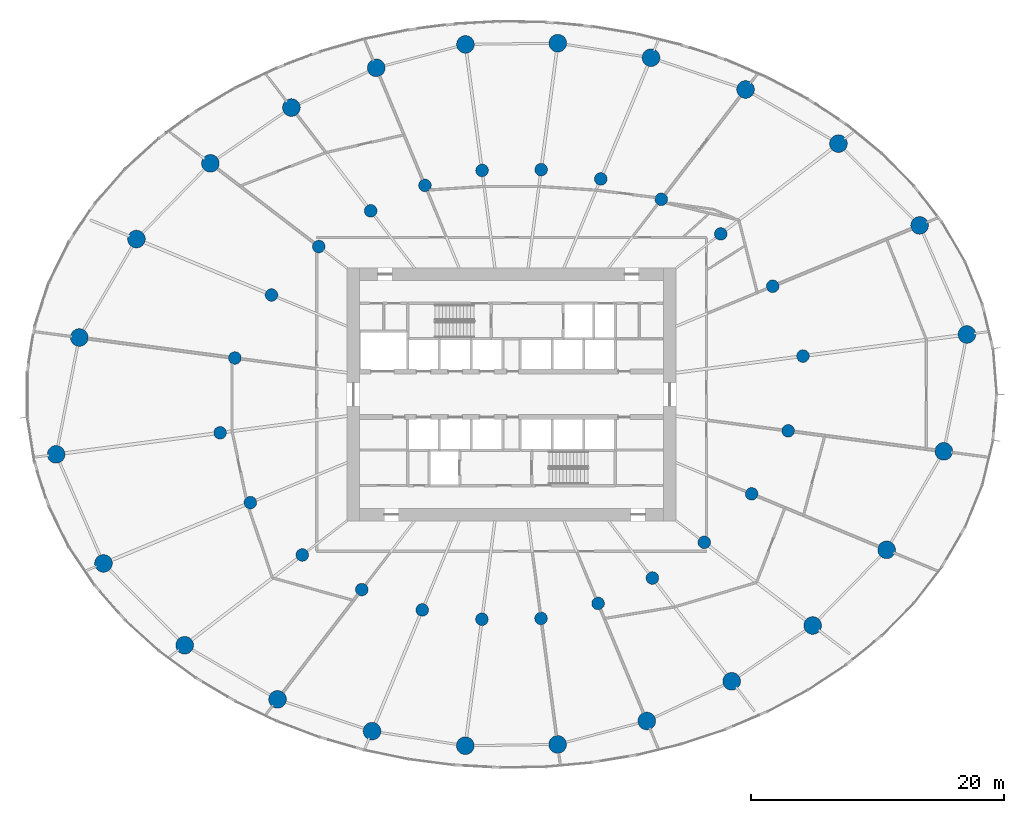
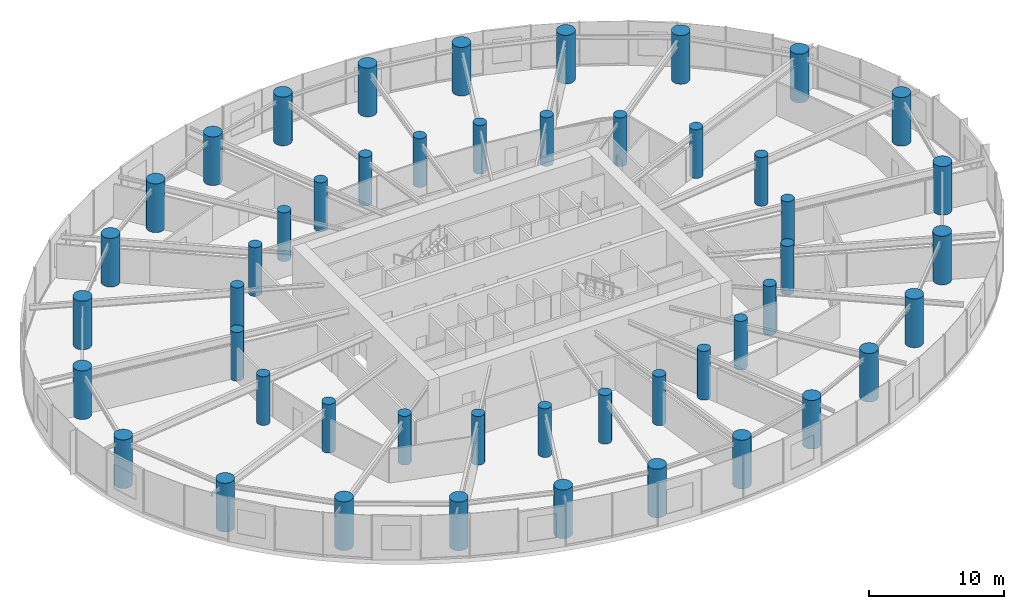
# One storey, part 1 of 19: 48 columns.
"""IFC4 building model written with IfcOpenShell, lengths in metres."""

from ifc_helpers import new_model, si_unit, direction, frame, origin, origin_2d, place, context, subcontext, project, spatial, circle, extrude, source, transform, mapped, material, material_profile, profile_set, type_object, element, save


model = new_model("IFC4")

# Units and contexts
model_context = context("Model", 3, precision=1e-05, world=origin(), true_north=direction((0.0, 1.0)))
body_context = subcontext(model_context, "Body", "Model", "MODEL_VIEW")
ifc_project = project(units=[si_unit("LENGTHUNIT", "METRE"), si_unit("AREAUNIT", "SQUARE_METRE"), si_unit("VOLUMEUNIT", "CUBIC_METRE"), si_unit("PLANEANGLEUNIT", "RADIAN"), si_unit("MASSUNIT", "GRAM", prefix="KILO")], contexts=[model_context])

# Site, building, storey
site_placement = place(None, origin())
site = spatial("IfcSite", under=ifc_project, at=site_placement, CompositionType="ELEMENT")
building_placement = place(site_placement, origin())
building = spatial("IfcBuilding", under=site, at=building_placement, Name="Spindrift Exchange Tower", CompositionType="ELEMENT")
storey_placement = place(building_placement, frame((0.0, 0.0, 22.60009765625)))
storey = spatial("IfcBuildingStorey", under=building, at=storey_placement, Name="L05", CompositionType="ELEMENT", Elevation=22.60009765625)

# Columns
ifc_material = material(Name="Concrete 80 MPa", Category="concrete")
ifc_material_profile_1 = material_profile(ifc_material, circle(Radius=0.699951171875, at=origin_2d()), Name="RC D1400")
ifc_profile_set_1 = profile_set([ifc_material_profile_1], Name="Concrete 80 MPa")
column_type_1 = type_object("IfcColumnType", Name="RC Perimeter Column D1400 Concrete 80 MPa", PredefinedType="COLUMN", material=ifc_profile_set_1)
shared_shape_1 = source(origin(), body_context, "Body", "SweptSolid", [
    extrude(circle(Radius=0.699951171875, at=origin_2d()), origin(), (0.0, 0.0, 1.0), 4.39990234375),
])
for number, where, z_axis, x_axis, name in (
    (1, (87.990478515625, 52.73828125, 0.0), (0.0, 0.0, 1.0), (1.0, 0.0, 0.0), "Perimeter column P1-01 L05"),
    (2, (84.248779296875, 61.35791015625, 0.0), (0.0, 0.0, 1.0), (1.0, 0.0, 0.0), "Perimeter column P1-02 L05"),
    (3, (77.835693359375, 67.82421875, 0.0), (0.0, 0.0, 1.0), (1.0, 0.0, 0.0), "Perimeter column P1-03 L05"),
    (4, (70.4921875, 72.099609375, 0.0), (0.0, 0.0, 1.0), (1.0, 0.0, 0.0), "Perimeter column P1-04 L05"),
    (5, (63.022705078125, 74.611328125, 0.0), (0.0, 0.0, 1.0), (1.0, 0.0, 0.0), "Perimeter column P1-05 L05"),
    (6, (55.65478515625, 75.761474609375, 0.0), (0.0, 0.0, 1.0), (1.0, 0.0, 0.0), "Perimeter column P1-06 L05"),
    (7, (48.3583984375, 75.661376953125, 0.0), (0.0, 0.0, 1.0), (1.0, 0.0, 0.0), "Perimeter column P1-07 L05"),
    (8, (41.309814453125, 73.80859375, 0.0), (0.0, 0.0, 1.0), (1.0, 0.0, 0.0), "Perimeter column P1-08 L05"),
    (9, (34.603515625, 70.671630859375, 0.0), (0.0, 0.0, 1.0), (1.0, 0.0, 0.0), "Perimeter column P1-09 L05"),
    (10, (28.199462890625, 66.2626953125, 0.0), (0.0, 0.0, 1.0), (1.0, 0.0, 0.0), "Perimeter column P1-10 L05"),
    (11, (22.35546875, 60.279296875, 0.0), (0.0, 0.0, 1.0), (1.0, 0.0, 0.0), "Perimeter column P1-11 L05"),
    (12, (17.8388671875, 52.497314453125, 0.0), (0.0, 0.0, 1.0), (1.0, 0.0, 0.0), "Perimeter column P1-12 L05"),
    (13, (16.009521484375, 43.26171875, 0.0), (0.0, 0.0, 1.0), (1.0, 0.0, 0.0), "Perimeter column P1-13 L05"),
    (14, (19.751220703125, 34.64208984375, 0.0), (0.0, 0.0, 1.0), (1.0, 0.0, 0.0), "Perimeter column P1-14 L05"),
    (15, (26.164306640625, 28.17578125, 0.0), (0.0, 0.0, 1.0), (1.0, 0.0, 0.0), "Perimeter column P1-15 L05"),
    (16, (33.5078125, 23.900390625, 0.0), (0.0, 0.0, 1.0), (1.0, 0.0, 0.0), "Perimeter column P1-16 L05"),
    (17, (40.977294921875, 21.388671875, 0.0), (0.0, 0.0, 1.0), (1.0, 0.0, 0.0), "Perimeter column P1-17 L05"),
    (18, (48.34521484375, 20.238525390625, 0.0), (0.0, 0.0, 1.0), (1.0, 0.0, 0.0), "Perimeter column P1-18 L05"),
    (19, (55.6416015625, 20.338623046875, 0.0), (0.0, 0.0, 1.0), (1.0, 0.0, 0.0), "Perimeter column P1-19 L05"),
    (20, (62.690185546875, 22.19140625, 0.0), (0.0, 0.0, 1.0), (1.0, 0.0, 0.0), "Perimeter column P1-20 L05"),
    (21, (69.396484375, 25.328369140625, 0.0), (0.0, 0.0, 1.0), (1.0, 0.0, 0.0), "Perimeter column P1-21 L05"),
    (22, (75.800537109375, 29.7373046875, 0.0), (0.0, 0.0, 1.0), (1.0, 0.0, 0.0), "Perimeter column P1-22 L05"),
    (23, (81.64453125, 35.720703125, 0.0), (0.0, 0.0, 1.0), (1.0, 0.0, 0.0), "Perimeter column P1-23 L05"),
    (24, (86.1611328125, 43.502685546875, 0.0), (0.0, 0.0, 1.0), (1.0, 0.0, 0.0), "Perimeter column P1-24 L05"),
):
    element("IfcColumn", number, at=place(storey_placement, frame(where, z_axis=z_axis, x_axis=x_axis)), inside=storey, type_object=column_type_1, Name=name, PredefinedType="COLUMN", context=body_context, shape_type="MappedRepresentation", body=[
        mapped(shared_shape_1, transform((0.0, 0.0, 0.0), scale=1.0)),
    ])
ifc_material_profile_2 = material_profile(ifc_material, circle(Radius=0.5, at=origin_2d()), Name="RC D1000")
ifc_profile_set_2 = profile_set([ifc_material_profile_2], Name="Concrete 80 MPa")
column_type_2 = type_object("IfcColumnType", Name="RC Inner Column D1000 Concrete 80 MPa", PredefinedType="COLUMN", material=ifc_profile_set_2)
shared_shape_2 = source(origin(), body_context, "Body", "SweptSolid", [
    extrude(circle(Radius=0.5, at=origin_2d()), origin(), (0.0, 0.0, 1.0), 4.39990234375),
])
for number, where, z_axis, x_axis, name in (
    (25, (75.033935546875, 51.032470703125, 0.0), (0.0, 0.0, 1.0), (1.0, 0.0, 0.0), "Inner column Q1-01 L05"),
    (26, (72.639404296875, 56.549072265625, 0.0), (0.0, 0.0, 1.0), (1.0, 0.0, 0.0), "Inner column Q1-02 L05"),
    (27, (68.534912109375, 60.6875, 0.0), (0.0, 0.0, 1.0), (1.0, 0.0, 0.0), "Inner column Q1-03 L05"),
    (28, (63.835205078125, 63.423828125, 0.0), (0.0, 0.0, 1.0), (1.0, 0.0, 0.0), "Inner column Q1-04 L05"),
    (29, (59.0546875, 65.03125, 0.0), (0.0, 0.0, 1.0), (1.0, 0.0, 0.0), "Inner column Q1-05 L05"),
    (30, (54.339111328125, 65.767333984375, 0.0), (0.0, 0.0, 1.0), (1.0, 0.0, 0.0), "Inner column Q1-06 L05"),
    (31, (49.669189453125, 65.703125, 0.0), (0.0, 0.0, 1.0), (1.0, 0.0, 0.0), "Inner column Q1-07 L05"),
    (32, (45.158203125, 64.517578125, 0.0), (0.0, 0.0, 1.0), (1.0, 0.0, 0.0), "Inner column Q1-08 L05"),
    (33, (40.8662109375, 62.510009765625, 0.0), (0.0, 0.0, 1.0), (1.0, 0.0, 0.0), "Inner column Q1-09 L05"),
    (34, (36.767578125, 59.688232421875, 0.0), (0.0, 0.0, 1.0), (1.0, 0.0, 0.0), "Inner column Q1-10 L05"),
    (35, (33.027587890625, 55.858642578125, 0.0), (0.0, 0.0, 1.0), (1.0, 0.0, 0.0), "Inner column Q1-11 L05"),
    (36, (30.13671875, 50.87841796875, 0.0), (0.0, 0.0, 1.0), (1.0, 0.0, 0.0), "Inner column Q1-12 L05"),
    (37, (28.966064453125, 44.967529296875, 0.0), (0.0, 0.0, 1.0), (1.0, 0.0, 0.0), "Inner column Q1-13 L05"),
    (38, (31.360595703125, 39.450927734375, 0.0), (0.0, 0.0, 1.0), (1.0, 0.0, 0.0), "Inner column Q1-14 L05"),
    (39, (35.465087890625, 35.3125, 0.0), (0.0, 0.0, 1.0), (1.0, 0.0, 0.0), "Inner column Q1-15 L05"),
    (40, (40.164794921875, 32.576171875, 0.0), (0.0, 0.0, 1.0), (1.0, 0.0, 0.0), "Inner column Q1-16 L05"),
    (41, (44.9453125, 30.96875, 0.0), (0.0, 0.0, 1.0), (1.0, 0.0, 0.0), "Inner column Q1-17 L05"),
    (42, (49.660888671875, 30.232666015625, 0.0), (0.0, 0.0, 1.0), (1.0, 0.0, 0.0), "Inner column Q1-18 L05"),
    (43, (54.330810546875, 30.296875, 0.0), (0.0, 0.0, 1.0), (1.0, 0.0, 0.0), "Inner column Q1-19 L05"),
    (44, (58.841796875, 31.482421875, 0.0), (0.0, 0.0, 1.0), (1.0, 0.0, 0.0), "Inner column Q1-20 L05"),
    (45, (63.1337890625, 33.489990234375, 0.0), (0.0, 0.0, 1.0), (1.0, 0.0, 0.0), "Inner column Q1-21 L05"),
    (46, (67.232421875, 36.311767578125, 0.0), (0.0, 0.0, 1.0), (1.0, 0.0, 0.0), "Inner column Q1-22 L05"),
    (47, (70.972412109375, 40.141357421875, 0.0), (0.0, 0.0, 1.0), (1.0, 0.0, 0.0), "Inner column Q1-23 L05"),
    (48, (73.86328125, 45.12158203125, 0.0), (0.0, 0.0, 1.0), (1.0, 0.0, 0.0), "Inner column Q1-24 L05"),
):
    element("IfcColumn", number, at=place(storey_placement, frame(where, z_axis=z_axis, x_axis=x_axis)), inside=storey, type_object=column_type_2, Name=name, PredefinedType="COLUMN", context=body_context, shape_type="MappedRepresentation", body=[
        mapped(shared_shape_2, transform((0.0, 0.0, 0.0), scale=1.0)),
    ])

save(model, "model.ifc")
